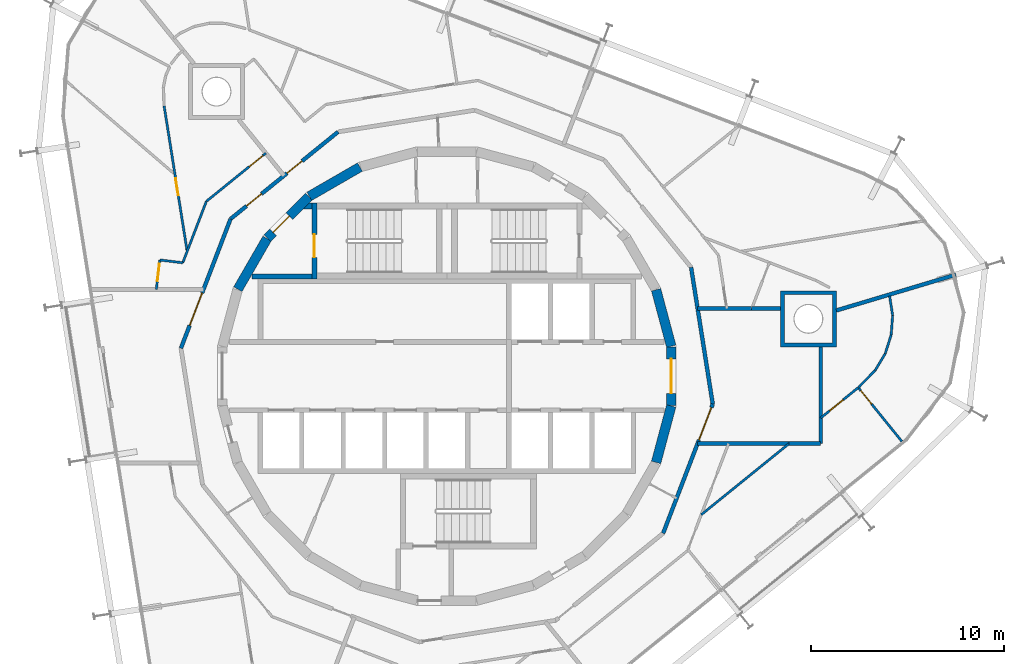
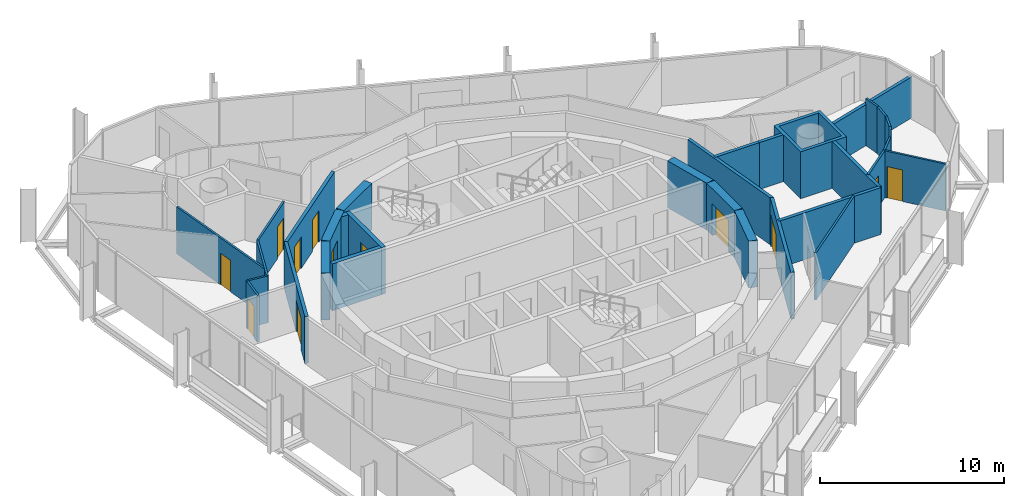
# One storey, part 14 of 17: 33 walls, 12 doors, 12 openings.
"""IFC4 building model written with IfcOpenShell, lengths in metres."""

from ifc_helpers import new_model, si_unit, direction, frame, frame_2d, origin, place, context, subcontext, project, spatial, polyline, rectangle, outline, extrude, material, layer, layer_set, type_object, element, fill, save


model = new_model("IFC4")

# Units and contexts
model_context = context("Model", 3, precision=1e-05, world=origin(), true_north=direction((0.0, 1.0)))
body_context = subcontext(model_context, "Body", "Model", "MODEL_VIEW")
ifc_project = project(units=[si_unit("LENGTHUNIT", "METRE"), si_unit("AREAUNIT", "SQUARE_METRE"), si_unit("VOLUMEUNIT", "CUBIC_METRE"), si_unit("PLANEANGLEUNIT", "RADIAN"), si_unit("MASSUNIT", "GRAM", prefix="KILO")], contexts=[model_context])

# Site, building, storey
site_placement = place(None, origin())
site = spatial("IfcSite", under=ifc_project, at=site_placement, CompositionType="ELEMENT")
building_placement = place(site_placement, origin())
building = spatial("IfcBuilding", under=site, at=building_placement, Name="Spindle Arch Residences", CompositionType="ELEMENT")
storey_placement = place(building_placement, frame((0.0, 0.0, 270.39990234375)))
storey = spatial("IfcBuildingStorey", under=building, at=storey_placement, Name="L69", CompositionType="ELEMENT", Elevation=270.39990234375)

# Wall
ifc_material_1 = material(Name="Concrete C50/60", Category="concrete")
ifc_layer_1 = layer(ifc_material_1, 0.5)
ifc_layer_set_1 = layer_set([ifc_layer_1], Name="Core outline wall 500")
wall_type_1 = type_object("IfcWallType", Name="Core outline wall 500", PredefinedType="SHEAR", material=ifc_layer_set_1)
wall_1_placement = place(storey_placement, frame((10.858154296875, -4.479248046875, 0.0), z_axis=(0.0, 0.0, 1.0), x_axis=(0.258734743916, 0.965948410781, 0.0)))
element("IfcWall", 1, at=wall_1_placement, inside=storey, type_object=wall_type_1, Name="Core outline wall 5", PredefinedType="SHEAR", context=body_context, shape_type="SweptSolid", body=[
    extrude(rectangle(XDim=3.03271484375, YDim=0.5, at=frame_2d((1.516357421875, 0.0))), origin(), (0.0, 0.0, 1.0), 3.1201171875),
])

# Wall, opening, door
wall_2_placement = place(storey_placement, frame((11.647216796875, -1.516357421875, 0.0), z_axis=(0.0, 0.0, 1.0), x_axis=(0.0, 1.0, 0.0)))
wall_2 = element("IfcWall", 2, at=wall_2_placement, inside=storey, type_object=wall_type_1, Name="Core outline wall 6", PredefinedType="SHEAR", context=body_context, shape_type="SweptSolid", body=[
    extrude(rectangle(XDim=3.03271484375, YDim=0.5, at=frame_2d((1.516357421875, 0.0))), origin(), (0.0, 0.0, 1.0), 3.1201171875),
])
opening_1_placement = place(wall_2_placement, frame((0.6162109375, 0.0, 0.0)))
opening_1 = element("IfcOpeningElement", 3, at=opening_1_placement, cuts=wall_2, Name="Opening R7A0-FE01", PredefinedType="OPENING", context=body_context, shape_type="SweptSolid", body=[
    extrude(rectangle(XDim=1.800048828125, YDim=2.10009765625, at=frame_2d((0.89990234375, 1.050048828125))), frame((0.0, 0.260009765625, 0.0), z_axis=(0.0, -1.0, 0.0), x_axis=(1.0, 0.0, 0.0)), (0.0, 0.0, 1.0), 0.52001953125),
])
ifc_material_2 = material(Name="Steel, fire-resisting door", Category="steel")
door_type_1 = type_object("IfcDoorType", Name="Fire-lift lobby door 1800x2100", OperationType="DOUBLE_DOOR_SINGLE_SWING", PredefinedType="DOOR", material=ifc_material_2)
door_1_placement = place(opening_1_placement, origin())
door_1 = element("IfcDoor", 4, at=door_1_placement, inside=storey, type_object=door_type_1, Name="Fire-lift lobby door R7A0-FE01", OperationType="DOUBLE_DOOR_SINGLE_SWING", OverallHeight=2.10009765625, OverallWidth=1.800048828125, PredefinedType="DOOR", context=body_context, shape_type="SweptSolid", body=[
    extrude(rectangle(XDim=1.800048828125, YDim=2.10009765625, at=frame_2d((0.89990234375, 1.050048828125))), frame((0.0, 0.02490234375, 0.0), z_axis=(0.0, -1.0, 0.0), x_axis=(1.0, 0.0, 0.0)), (0.0, 0.0, 1.0), 0.050048828125),
])
fill(opening_1, door_1)

# Walls
for number, where, z_axis, x_axis, name in (
    (5, (11.642822265625, 1.5498046875, 0.0), (0.0, 0.0, 1.0), (-0.258734743916, 0.965948410781, 0.0), "Core outline wall 7"),
    (6, (-4.510498046875, 10.84521484375, 0.0), (0.0, 0.0, 1.0), (-0.865975092491, -0.500087131594, 0.0), "Core outline wall 14"),
):
    element("IfcWall", number, at=place(storey_placement, frame(where, z_axis=z_axis, x_axis=x_axis)), inside=storey, type_object=wall_type_1, Name=name, PredefinedType="SHEAR", context=body_context, shape_type="SweptSolid", body=[
        extrude(rectangle(XDim=3.03271484375, YDim=0.5, at=frame_2d((1.516357421875, 0.0))), origin(), (0.0, 0.0, 1.0), 3.1201171875),
    ])

# Wall, opening, door
wall_3_placement = place(storey_placement, frame((-7.163818359375, 9.30810546875, 0.0), z_axis=(0.0, 0.0, 1.0), x_axis=(-0.707106781187, -0.707106781187, 0.0)))
wall_3 = element("IfcWall", 7, at=wall_3_placement, inside=storey, type_object=wall_type_1, Name="Core outline wall 15", PredefinedType="SHEAR", context=body_context, shape_type="SweptSolid", body=[
    extrude(rectangle(XDim=3.032470703125, YDim=0.5, at=frame_2d((1.51611328125, 0.0))), origin(), (0.0, 0.0, 1.0), 3.1201171875),
])
opening_2_placement = place(wall_3_placement, frame((1.416259765625, 0.0, 0.0)))
opening_2 = element("IfcOpeningElement", 8, at=opening_2_placement, cuts=wall_3, Name="Opening R7A0-AD02", PredefinedType="OPENING", context=body_context, shape_type="SweptSolid", body=[
    extrude(rectangle(XDim=1.199951171875, YDim=2.10009765625, at=frame_2d((0.60009765625, 1.050048828125))), frame((0.0, 0.260009765625, 0.0), z_axis=(0.0, -1.0, 0.0), x_axis=(1.0, 0.0, 0.0)), (0.0, 0.0, 1.0), 0.52001953125),
])
ifc_material_3 = material(Name="Steel, fire-resisting door", Category="steel")
door_type_2 = type_object("IfcDoorType", Name="Stair airlock door 1200x2100", OperationType="SINGLE_SWING_LEFT", PredefinedType="DOOR", material=ifc_material_3)
door_2_placement = place(opening_2_placement, origin())
door_2 = element("IfcDoor", 9, at=door_2_placement, inside=storey, type_object=door_type_2, Name="Stair airlock door R7A0-AD02", OperationType="SINGLE_SWING_RIGHT", OverallHeight=2.10009765625, OverallWidth=1.199951171875, PredefinedType="DOOR", context=body_context, shape_type="SweptSolid", body=[
    extrude(rectangle(XDim=1.199951171875, YDim=2.10009765625, at=frame_2d((0.60009765625, 1.050048828125))), frame((0.0, 0.02490234375, 0.0), z_axis=(0.0, -1.0, 0.0), x_axis=(1.0, 0.0, 0.0)), (0.0, 0.0, 1.0), 0.050048828125),
])
fill(opening_2, door_2)

# Wall
wall_4_placement = place(storey_placement, frame((-9.32861328125, 7.13671875, 0.0), z_axis=(0.0, 0.0, 1.0), x_axis=(-0.500087131594, -0.865975092491, 0.0)))
element("IfcWall", 10, at=wall_4_placement, inside=storey, type_object=wall_type_1, Name="Core outline wall 16", PredefinedType="SHEAR", context=body_context, shape_type="SweptSolid", body=[
    extrude(rectangle(XDim=3.03271484375, YDim=0.5, at=frame_2d((1.516357421875, 0.0))), origin(), (0.0, 0.0, 1.0), 3.1201171875),
])

# Wall, openings, doors
ifc_material_4 = material(Name="Calcium silicate block, plastered")
ifc_layer_2 = layer(ifc_material_4, 0.199951171875)
ifc_layer_set_2 = layer_set([ifc_layer_2], Name="Corridor wall 200")
wall_type_2 = type_object("IfcWallType", Name="Corridor wall 200", PredefinedType="STANDARD", material=ifc_layer_set_2)
wall_5_placement = place(storey_placement, frame((-5.642578125, 12.67333984375, 0.0), z_axis=(0.0, 0.0, 1.0), x_axis=(-0.777160148113, -0.629302871585, 0.0)))
wall_5 = element("IfcWall", 11, at=wall_5_placement, inside=storey, type_object=wall_type_2, Name="Corridor wall R7A0-W011", PredefinedType="STANDARD", context=body_context, shape_type="SweptSolid", body=[
    extrude(rectangle(XDim=7.180908203125, YDim=0.199951171875, at=frame_2d((3.59033203125, 0.0))), origin(), (0.0, 0.0, 1.0), 3.1201171875),
])
opening_3_placement = place(wall_5_placement, frame((2.410400390625, 0.0, 0.0)))
opening_3 = element("IfcOpeningElement", 12, at=opening_3_placement, cuts=wall_5, Name="Opening R7A0-FD02", PredefinedType="OPENING", context=body_context, shape_type="SweptSolid", body=[
    extrude(rectangle(XDim=1.0, YDim=2.10009765625, at=frame_2d((0.5, 1.050048828125))), frame((0.0, 0.10986328125, 0.0), z_axis=(0.0, -1.0, 0.0), x_axis=(1.0, 0.0, 0.0)), (0.0, 0.0, 1.0), 0.219970703125),
])
opening_4_placement = place(wall_5_placement, frame((5.111572265625, 0.0, 0.0)))
opening_4 = element("IfcOpeningElement", 13, at=opening_4_placement, cuts=wall_5, Name="Opening R7A0-FD03", PredefinedType="OPENING", context=body_context, shape_type="SweptSolid", body=[
    extrude(rectangle(XDim=1.0, YDim=2.10009765625, at=frame_2d((0.5, 1.050048828125))), frame((0.0, 0.10986328125, 0.0), z_axis=(0.0, -1.0, 0.0), x_axis=(1.0, 0.0, 0.0)), (0.0, 0.0, 1.0), 0.219970703125),
])
ifc_material_5 = material(Name="Timber, fire-resisting door set", Category="wood")
door_type_3 = type_object("IfcDoorType", Name="Flat entrance door 1000x2100", OperationType="NOTDEFINED", PredefinedType="DOOR", material=ifc_material_5)
door_3_placement = place(opening_3_placement, origin())
door_3 = element("IfcDoor", 14, at=door_3_placement, inside=storey, type_object=door_type_3, Name="Flat entrance door R7A0-FD02", OperationType="SINGLE_SWING_RIGHT", OverallHeight=2.10009765625, OverallWidth=1.0, PredefinedType="DOOR", context=body_context, shape_type="SweptSolid", body=[
    extrude(rectangle(XDim=1.0, YDim=2.10009765625, at=frame_2d((0.5, 1.050048828125))), frame((0.0, 0.02490234375, 0.0), z_axis=(0.0, -1.0, 0.0), x_axis=(1.0, 0.0, 0.0)), (0.0, 0.0, 1.0), 0.050048828125),
])
fill(opening_3, door_3)
door_4_placement = place(opening_4_placement, origin())
door_4 = element("IfcDoor", 15, at=door_4_placement, inside=storey, type_object=door_type_3, Name="Flat entrance door R7A0-FD03", OperationType="SINGLE_SWING_LEFT", OverallHeight=2.10009765625, OverallWidth=1.0, PredefinedType="DOOR", context=body_context, shape_type="SweptSolid", body=[
    extrude(rectangle(XDim=1.0, YDim=2.10009765625, at=frame_2d((0.5, 1.050048828125))), frame((0.0, 0.02490234375, 0.0), z_axis=(0.0, -1.0, 0.0), x_axis=(1.0, 0.0, 0.0)), (0.0, 0.0, 1.0), 0.050048828125),
])
fill(opening_4, door_4)

# Wall, opening, door
ifc_material_6 = material(Name="Calcium silicate block, plastered")
ifc_layer_3 = layer(ifc_material_6, 0.199951171875)
ifc_layer_set_3 = layer_set([ifc_layer_3], Name="Fire-lift lobby bay wall 200")
wall_type_3 = type_object("IfcWallType", Name="Fire-lift lobby bay wall 200", PredefinedType="STANDARD", material=ifc_layer_set_3)
wall_6_placement = place(storey_placement, frame((11.223388671875, -8.154296875, 0.0), z_axis=(0.0, 0.0, 1.0), x_axis=(0.358341090983, 0.93359073609, 0.0)))
wall_6 = element("IfcWall", 16, at=wall_6_placement, inside=storey, type_object=wall_type_3, Name="Fire-lift lobby bay wall R7A0-W004", PredefinedType="STANDARD", context=body_context, shape_type="SweptSolid", body=[
    extrude(rectangle(XDim=7.180908203125, YDim=0.199951171875, at=frame_2d((3.59033203125, 0.0))), origin(), (0.0, 0.0, 1.0), 3.1201171875),
])
opening_5_placement = place(wall_6_placement, frame((5.185302734375, 0.0, 0.0)))
opening_5 = element("IfcOpeningElement", 17, at=opening_5_placement, cuts=wall_6, Name="Opening R7A0-FB01", PredefinedType="OPENING", context=body_context, shape_type="SweptSolid", body=[
    extrude(rectangle(XDim=1.800048828125, YDim=2.10009765625, at=frame_2d((0.89990234375, 1.050048828125))), frame((0.0, 0.10986328125, 0.0), z_axis=(0.0, -1.0, 0.0), x_axis=(1.0, 0.0, 0.0)), (0.0, 0.0, 1.0), 0.219970703125),
])
ifc_material_7 = material(Name="Steel, fire-resisting door", Category="steel")
door_type_4 = type_object("IfcDoorType", Name="Fire-lift lobby bay door 1800x2100", OperationType="NOTDEFINED", PredefinedType="DOOR", material=ifc_material_7)
door_5_placement = place(opening_5_placement, origin())
door_5 = element("IfcDoor", 18, at=door_5_placement, inside=storey, type_object=door_type_4, Name="Fire-lift lobby bay door R7A0-FB01", OperationType="DOUBLE_DOOR_SINGLE_SWING", OverallHeight=2.10009765625, OverallWidth=1.800048828125, PredefinedType="DOOR", context=body_context, shape_type="SweptSolid", body=[
    extrude(rectangle(XDim=1.800048828125, YDim=2.10009765625, at=frame_2d((0.89990234375, 1.050048828125))), frame((0.0, 0.02490234375, 0.0), z_axis=(0.0, -1.0, 0.0), x_axis=(1.0, 0.0, 0.0)), (0.0, 0.0, 1.0), 0.050048828125),
])
fill(opening_5, door_5)

# Walls
wall_7_placement = place(storey_placement, frame((13.796630859375, -1.4501953125, 0.0), z_axis=(0.0, 0.0, 1.0), x_axis=(-0.156421704315, 0.987690361611, 0.0)))
element("IfcWall", 19, at=wall_7_placement, inside=storey, type_object=wall_type_3, Name="Fire-lift lobby bay wall R7A0-W005", PredefinedType="STANDARD", context=body_context, shape_type="SweptSolid", body=[
    extrude(rectangle(XDim=7.18115234375, YDim=0.199951171875, at=frame_2d((3.590576171875, 0.0))), origin(), (0.0, 0.0, 1.0), 3.1201171875),
])
wall_8_placement = place(storey_placement, frame((15.819091796875, 3.5, 0.0), z_axis=(0.0, 0.0, 1.0), x_axis=(-1.0, 0.0, 0.0)))
element("IfcWall", 20, at=wall_8_placement, inside=storey, type_object=wall_type_3, Name="Fire-lift lobby bay wall R7A0-W018", PredefinedType="STANDARD", context=body_context, shape_type="SweptSolid", body=[
    extrude(rectangle(XDim=2.806396484375, YDim=0.199951171875, at=frame_2d((1.4033203125, 0.0))), origin(), (0.0, 0.0, 1.0), 3.1201171875),
])
wall_9_placement = place(storey_placement, frame((17.309326171875, 3.5, 0.0), z_axis=(0.0, 0.0, 1.0), x_axis=(-1.0, 0.0, 0.0)))
element("IfcWall", 21, at=wall_9_placement, inside=storey, type_object=wall_type_3, Name="Fire-lift lobby bay wall R7A0-W019", PredefinedType="STANDARD", context=body_context, shape_type="SweptSolid", body=[
    extrude(rectangle(XDim=1.490234375, YDim=0.199951171875, at=frame_2d((0.7451171875, 0.0))), origin(), (0.0, 0.0, 1.0), 3.1201171875),
])
wall_10_placement = place(storey_placement, frame((13.009765625, -3.5, 0.0), z_axis=(0.0, 0.0, 1.0), x_axis=(1.0, 0.0, 0.0)))
element("IfcWall", 22, at=wall_10_placement, inside=storey, type_object=wall_type_3, Name="Fire-lift lobby bay wall R7A0-W020", PredefinedType="STANDARD", context=body_context, shape_type="SweptSolid", body=[
    extrude(rectangle(XDim=4.75, YDim=0.199951171875, at=frame_2d((2.375, 0.0))), origin(), (0.0, 0.0, 1.0), 3.1201171875),
])
wall_11_placement = place(storey_placement, frame((19.39990234375, -3.5, 0.0), z_axis=(0.0, 0.0, 1.0), x_axis=(0.0, 1.0, 0.0)))
element("IfcWall", 23, at=wall_11_placement, inside=storey, type_object=wall_type_3, Name="Fire-lift lobby bay wall R7A0-W021", PredefinedType="STANDARD", context=body_context, shape_type="SweptSolid", body=[
    extrude(rectangle(XDim=5.021240234375, YDim=0.199951171875, at=frame_2d((2.5107421875, 0.0))), origin(), (0.0, 0.0, 1.0), 3.1201171875),
])
wall_12_placement = place(storey_placement, frame((17.759765625, -3.5, 0.0), z_axis=(0.0, 0.0, 1.0), x_axis=(1.0, 0.0, 0.0)))
element("IfcWall", 24, at=wall_12_placement, inside=storey, type_object=wall_type_3, Name="Fire-lift lobby bay wall R7A0-W022", PredefinedType="STANDARD", context=body_context, shape_type="SweptSolid", body=[
    extrude(rectangle(XDim=1.64013671875, YDim=0.199951171875, at=frame_2d((0.820068359375, 0.0))), origin(), (0.0, 0.0, 1.0), 3.1201171875),
])

# Wall, opening, door
ifc_material_8 = material(Name="Plasterboard on steel studs", Category="steel")
ifc_layer_4 = layer(ifc_material_8, 0.1201171875)
ifc_layer_set_4 = layer_set([ifc_layer_4], Name="Flat partition 120")
wall_type_4 = type_object("IfcWallType", Name="Flat partition 120", PredefinedType="PARTITIONING", material=ifc_layer_set_4)
wall_13_placement = place(storey_placement, frame((-9.393310546875, 11.56640625, 0.0), z_axis=(0.0, 0.0, 1.0), x_axis=(-0.777100258587, -0.629376825205, 0.0)))
wall_13 = element("IfcWall", 25, at=wall_13_placement, inside=storey, type_object=wall_type_4, Name="Flat partition R7A0-W051", PredefinedType="PARTITIONING", context=body_context, shape_type="SweptSolid", body=[
    extrude(rectangle(XDim=3.971435546875, YDim=0.1201171875, at=frame_2d((1.98583984375, 0.0))), origin(), (0.0, 0.0, 1.0), 3.1201171875),
])
opening_6_placement = place(wall_13_placement, frame((0.199951171875, 0.0, 0.0)))
opening_6 = element("IfcOpeningElement", 26, at=opening_6_placement, cuts=wall_13, Name="Opening R7A0-ID10", PredefinedType="OPENING", context=body_context, shape_type="SweptSolid", body=[
    extrude(rectangle(XDim=0.89990234375, YDim=2.10009765625, at=frame_2d((0.449951171875, 1.050048828125))), frame((0.0, 0.070068359375, 0.0), z_axis=(0.0, -1.0, 0.0), x_axis=(1.0, 0.0, 0.0)), (0.0, 0.0, 1.0), 0.14013671875),
])
ifc_material_9 = material(Name="Timber door set", Category="wood")
door_type_5 = type_object("IfcDoorType", Name="Room door 900x2100", OperationType="NOTDEFINED", PredefinedType="DOOR", material=ifc_material_9)
door_6_placement = place(opening_6_placement, origin())
door_6 = element("IfcDoor", 27, at=door_6_placement, inside=storey, type_object=door_type_5, Name="Room door R7A0-ID10", OperationType="SINGLE_SWING_LEFT", OverallHeight=2.10009765625, OverallWidth=0.89990234375, PredefinedType="DOOR", context=body_context, shape_type="SweptSolid", body=[
    extrude(rectangle(XDim=0.89990234375, YDim=2.10009765625, at=frame_2d((0.449951171875, 1.050048828125))), frame((0.0, 0.02490234375, 0.0), z_axis=(0.0, -1.0, 0.0), x_axis=(1.0, 0.0, 0.0)), (0.0, 0.0, 1.0), 0.050048828125),
])
fill(opening_6, door_6)

# Walls
wall_14_placement = place(storey_placement, frame((-12.4794921875, 9.06689453125, 0.0), z_axis=(0.0, 0.0, 1.0), x_axis=(-0.358394302064, -0.933570310286, 0.0)))
element("IfcWall", 28, at=wall_14_placement, inside=storey, type_object=wall_type_4, Name="Flat partition R7A0-W052", PredefinedType="PARTITIONING", context=body_context, shape_type="SweptSolid", body=[
    extrude(rectangle(XDim=3.41357421875, YDim=0.1201171875, at=frame_2d((1.706787109375, 0.0))), origin(), (0.0, 0.0, 1.0), 3.1201171875),
])
wall_15_placement = place(storey_placement, frame((-13.702880859375, 5.880126953125, 0.0), z_axis=(0.0, 0.0, 1.0), x_axis=(-0.992763323859, 0.120087396509, 0.0)))
element("IfcWall", 29, at=wall_15_placement, inside=storey, type_object=wall_type_4, Name="Flat partition R7A0-W053", PredefinedType="PARTITIONING", context=body_context, shape_type="SweptSolid", body=[
    extrude(rectangle(XDim=1.1953125, YDim=0.1201171875, at=frame_2d((0.59765625, 0.0))), origin(), (0.0, 0.0, 1.0), 3.1201171875),
])

# Wall, opening, door
wall_16_placement = place(storey_placement, frame((-14.8896484375, 6.023681640625, 0.0), z_axis=(0.0, 0.0, 1.0), x_axis=(-0.120255360044, -0.992742992109, 0.0)))
wall_16 = element("IfcWall", 30, at=wall_16_placement, inside=storey, type_object=wall_type_4, Name="Flat partition R7A0-W054", PredefinedType="PARTITIONING", context=body_context, shape_type="SweptSolid", body=[
    extrude(rectangle(XDim=1.534912109375, YDim=0.1201171875, at=frame_2d((0.767578125, 0.0))), origin(), (0.0, 0.0, 1.0), 3.1201171875),
])
opening_7_placement = place(wall_16_placement, frame((0.199951171875, 0.0, 0.0)))
opening_7 = element("IfcOpeningElement", 31, at=opening_7_placement, cuts=wall_16, Name="Opening R7A0-ID11", PredefinedType="OPENING", context=body_context, shape_type="SweptSolid", body=[
    extrude(rectangle(XDim=0.89990234375, YDim=2.10009765625, at=frame_2d((0.449951171875, 1.050048828125))), frame((0.0, 0.070068359375, 0.0), z_axis=(0.0, -1.0, 0.0), x_axis=(1.0, 0.0, 0.0)), (0.0, 0.0, 1.0), 0.14013671875),
])
door_7_placement = place(opening_7_placement, origin())
door_7 = element("IfcDoor", 32, at=door_7_placement, inside=storey, type_object=door_type_5, Name="Room door R7A0-ID11", OperationType="SINGLE_SWING_LEFT", OverallHeight=2.10009765625, OverallWidth=0.89990234375, PredefinedType="DOOR", context=body_context, shape_type="SweptSolid", body=[
    extrude(rectangle(XDim=0.89990234375, YDim=2.10009765625, at=frame_2d((0.449951171875, 1.050048828125))), frame((0.0, 0.02490234375, 0.0), z_axis=(0.0, -1.0, 0.0), x_axis=(1.0, 0.0, 0.0)), (0.0, 0.0, 1.0), 0.050048828125),
])
fill(opening_7, door_7)

wall_17_placement = place(storey_placement, frame((-14.6708984375, 14.023193359375, 0.0), z_axis=(0.0, 0.0, 1.0), x_axis=(0.156438190471, -0.987687750538, 0.0)))
wall_17 = element("IfcWall", 33, at=wall_17_placement, inside=storey, type_object=wall_type_4, Name="Flat partition R7A0-W061", PredefinedType="PARTITIONING", context=body_context, shape_type="SweptSolid", body=[
    extrude(rectangle(XDim=7.643798828125, YDim=0.1201171875, at=frame_2d((3.82177734375, 0.0))), origin(), (0.0, 0.0, 1.0), 3.1201171875),
])
opening_8_placement = place(wall_17_placement, frame((3.802734375, 0.0, 0.0)))
opening_8 = element("IfcOpeningElement", 34, at=opening_8_placement, cuts=wall_17, Name="Opening R7A0-ID13", PredefinedType="OPENING", context=body_context, shape_type="SweptSolid", body=[
    extrude(rectangle(XDim=0.89990234375, YDim=2.10009765625, at=frame_2d((0.449951171875, 1.050048828125))), frame((0.0, 0.070068359375, 0.0), z_axis=(0.0, -1.0, 0.0), x_axis=(1.0, 0.0, 0.0)), (0.0, 0.0, 1.0), 0.14013671875),
])
door_8_placement = place(opening_8_placement, origin())
door_8 = element("IfcDoor", 35, at=door_8_placement, inside=storey, type_object=door_type_5, Name="Room door R7A0-ID13", OperationType="SINGLE_SWING_RIGHT", OverallHeight=2.10009765625, OverallWidth=0.89990234375, PredefinedType="DOOR", context=body_context, shape_type="SweptSolid", body=[
    extrude(rectangle(XDim=0.89990234375, YDim=2.10009765625, at=frame_2d((0.449951171875, 1.050048828125))), frame((0.0, 0.02490234375, 0.0), z_axis=(0.0, -1.0, 0.0), x_axis=(1.0, 0.0, 0.0)), (0.0, 0.0, 1.0), 0.050048828125),
])
fill(opening_8, door_8)

# Walls
wall_18_placement = place(storey_placement, frame((22.972412109375, 4.15283203125, 0.0), z_axis=(0.0, 0.0, 1.0), x_axis=(0.156209385929, -0.987723963336, 0.0)))
element("IfcWall", 36, at=wall_18_placement, inside=storey, type_object=wall_type_4, Name="Flat partition R7A0-W087", PredefinedType="PARTITIONING", context=body_context, shape_type="SweptSolid", body=[
    extrude(rectangle(XDim=1.015869140625, YDim=0.1201171875, at=frame_2d((0.5078125, 0.0))), origin(), (0.0, 0.0, 1.0), 3.1201171875),
])
wall_19_placement = place(storey_placement, frame((23.131103515625, 3.1494140625, 0.0), z_axis=(0.0, 0.0, 1.0), x_axis=(-0.075446997935, -0.99714981347, 0.0)))
element("IfcWall", 37, at=wall_19_placement, inside=storey, type_object=wall_type_4, Name="Flat partition R7A0-W088", PredefinedType="PARTITIONING", context=body_context, shape_type="SweptSolid", body=[
    extrude(rectangle(XDim=1.01611328125, YDim=0.1201171875, at=frame_2d((0.508056640625, 0.0))), origin(), (0.0, 0.0, 1.0), 3.1201171875),
])
wall_20_placement = place(storey_placement, frame((23.054443359375, 2.13623046875, 0.0), z_axis=(0.0, 0.0, 1.0), x_axis=(-0.303511129679, -0.952827893253, 0.0)))
element("IfcWall", 38, at=wall_20_placement, inside=storey, type_object=wall_type_4, Name="Flat partition R7A0-W089", PredefinedType="PARTITIONING", context=body_context, shape_type="SweptSolid", body=[
    extrude(rectangle(XDim=1.015869140625, YDim=0.1201171875, at=frame_2d((0.5078125, 0.0))), origin(), (0.0, 0.0, 1.0), 3.1201171875),
])
wall_21_placement = place(storey_placement, frame((22.74609375, 1.168212890625, 0.0), z_axis=(0.0, 0.0, 1.0), x_axis=(-0.515096534995, -0.857132171626, 0.0)))
element("IfcWall", 39, at=wall_21_placement, inside=storey, type_object=wall_type_4, Name="Flat partition R7A0-W090", PredefinedType="PARTITIONING", context=body_context, shape_type="SweptSolid", body=[
    extrude(rectangle(XDim=1.015625, YDim=0.1201171875, at=frame_2d((0.5078125, 0.0))), origin(), (0.0, 0.0, 1.0), 3.1201171875),
])
wall_22_placement = place(storey_placement, frame((22.222900390625, 0.297607421875, 0.0), z_axis=(0.0, 0.0, 1.0), x_axis=(-0.69880109182, -0.715316037896, 0.0)))
element("IfcWall", 40, at=wall_22_placement, inside=storey, type_object=wall_type_4, Name="Flat partition R7A0-W091", PredefinedType="PARTITIONING", context=body_context, shape_type="SweptSolid", body=[
    extrude(rectangle(XDim=1.22705078125, YDim=0.1201171875, at=frame_2d((0.613525390625, 0.0))), origin(), (0.0, 0.0, 1.0), 3.1201171875),
])

# Wall, opening, door
wall_23_placement = place(storey_placement, frame((21.346923828125, -0.59521484375, 0.0), z_axis=(0.0, 0.0, 1.0), x_axis=(0.62934843781, -0.7771232488, 0.0)))
wall_23 = element("IfcWall", 41, at=wall_23_placement, inside=storey, type_object=wall_type_4, Name="Flat partition R7A0-W092", PredefinedType="PARTITIONING", context=body_context, shape_type="SweptSolid", body=[
    extrude(rectangle(XDim=3.599853515625, YDim=0.1201171875, at=frame_2d((1.7998046875, 0.0))), origin(), (0.0, 0.0, 1.0), 3.1201171875),
])
opening_9_placement = place(wall_23_placement, frame((0.199951171875, 0.0, 0.0)))
opening_9 = element("IfcOpeningElement", 42, at=opening_9_placement, cuts=wall_23, Name="Opening R7A0-ID25", PredefinedType="OPENING", context=body_context, shape_type="SweptSolid", body=[
    extrude(rectangle(XDim=0.89990234375, YDim=2.10009765625, at=frame_2d((0.449951171875, 1.050048828125))), frame((0.0, 0.070068359375, 0.0), z_axis=(0.0, -1.0, 0.0), x_axis=(1.0, 0.0, 0.0)), (0.0, 0.0, 1.0), 0.14013671875),
])
door_9_placement = place(opening_9_placement, origin())
door_9 = element("IfcDoor", 43, at=door_9_placement, inside=storey, type_object=door_type_5, Name="Room door R7A0-ID25", OperationType="SINGLE_SWING_RIGHT", OverallHeight=2.10009765625, OverallWidth=0.89990234375, PredefinedType="DOOR", context=body_context, shape_type="SweptSolid", body=[
    extrude(rectangle(XDim=0.89990234375, YDim=2.10009765625, at=frame_2d((0.449951171875, 1.050048828125))), frame((0.0, 0.02490234375, 0.0), z_axis=(0.0, -1.0, 0.0), x_axis=(1.0, 0.0, 0.0)), (0.0, 0.0, 1.0), 0.050048828125),
])
fill(opening_9, door_9)

wall_24_placement = place(storey_placement, frame((19.39990234375, -2.171875, 0.0), z_axis=(0.0, 0.0, 1.0), x_axis=(0.777147279935, 0.629318762862, 0.0)))
wall_24 = element("IfcWall", 44, at=wall_24_placement, inside=storey, type_object=wall_type_4, Name="Flat partition R7A0-W093", PredefinedType="PARTITIONING", context=body_context, shape_type="SweptSolid", body=[
    extrude(rectangle(XDim=2.50537109375, YDim=0.1201171875, at=frame_2d((1.252685546875, 0.0))), origin(), (0.0, 0.0, 1.0), 3.1201171875),
])
opening_10_placement = place(wall_24_placement, frame((0.60009765625, 0.0, 0.0)))
opening_10 = element("IfcOpeningElement", 45, at=opening_10_placement, cuts=wall_24, Name="Opening R7A0-ID26", PredefinedType="OPENING", context=body_context, shape_type="SweptSolid", body=[
    extrude(rectangle(XDim=0.89990234375, YDim=2.10009765625, at=frame_2d((0.449951171875, 1.050048828125))), frame((0.0, 0.070068359375, 0.0), z_axis=(0.0, -1.0, 0.0), x_axis=(1.0, 0.0, 0.0)), (0.0, 0.0, 1.0), 0.14013671875),
])
door_10_placement = place(opening_10_placement, origin())
door_10 = element("IfcDoor", 46, at=door_10_placement, inside=storey, type_object=door_type_5, Name="Room door R7A0-ID26", OperationType="SINGLE_SWING_LEFT", OverallHeight=2.10009765625, OverallWidth=0.89990234375, PredefinedType="DOOR", context=body_context, shape_type="SweptSolid", body=[
    extrude(rectangle(XDim=0.89990234375, YDim=2.10009765625, at=frame_2d((0.449951171875, 1.050048828125))), frame((0.0, 0.02490234375, 0.0), z_axis=(0.0, -1.0, 0.0), x_axis=(1.0, 0.0, 0.0)), (0.0, 0.0, 1.0), 0.050048828125),
])
fill(opening_10, door_10)

# Walls
wall_25_placement = place(storey_placement, frame((17.759765625, -3.5, 0.0), z_axis=(0.0, 0.0, 1.0), x_axis=(-0.777133455716, -0.62933583404, 0.0)))
element("IfcWall", 47, at=wall_25_placement, inside=storey, type_object=wall_type_4, Name="Flat partition R7A0-W095", PredefinedType="PARTITIONING", context=body_context, shape_type="SweptSolid", body=[
    extrude(rectangle(XDim=5.869140625, YDim=0.1201171875, at=frame_2d((2.9345703125, 0.0))), origin(), (0.0, 0.0, 1.0), 3.1201171875),
])
ifc_material_10 = material(Name="Calcium silicate block, plastered")
ifc_layer_5 = layer(ifc_material_10, 0.199951171875)
ifc_layer_set_5 = layer_set([ifc_layer_5], Name="Flat party wall 200 under beam 2730")
wall_type_5 = type_object("IfcWallType", Name="Flat party wall 200 under beam 2730", PredefinedType="STANDARD", material=ifc_layer_set_5)
wall_26_placement = place(storey_placement, frame((20.20947265625, 3.4052734375, 0.0), z_axis=(0.0, 0.0, 1.0), x_axis=(0.957991224208, 0.286797514529, 0.0)))
element("IfcWall", 48, at=wall_26_placement, inside=storey, type_object=wall_type_5, Name="Flat party wall R7A0-W024", PredefinedType="STANDARD", context=body_context, shape_type="SweptSolid", body=[
    extrude(rectangle(XDim=6.471435546875, YDim=0.199951171875, at=frame_2d((3.23583984375, 0.0))), origin(), (0.0, 0.0, 1.0), 2.72998046875),
])

# Wall, opening, door
ifc_material_11 = material(Name="Calcium silicate block, plastered")
ifc_layer_6 = layer(ifc_material_11, 0.199951171875)
ifc_layer_set_6 = layer_set([ifc_layer_6], Name="Lift lobby bay wall 200")
wall_type_6 = type_object("IfcWallType", Name="Lift lobby bay wall 200", PredefinedType="STANDARD", material=ifc_layer_set_6)
wall_27_placement = place(storey_placement, frame((-11.223388671875, 8.154296875, 0.0), z_axis=(0.0, 0.0, 1.0), x_axis=(-0.358341090983, -0.93359073609, 0.0)))
wall_27 = element("IfcWall", 49, at=wall_27_placement, inside=storey, type_object=wall_type_6, Name="Lift lobby bay wall R7A0-W009", PredefinedType="STANDARD", context=body_context, shape_type="SweptSolid", body=[
    extrude(rectangle(XDim=7.180908203125, YDim=0.199951171875, at=frame_2d((3.59033203125, 0.0))), origin(), (0.0, 0.0, 1.0), 3.1201171875),
])
opening_11_placement = place(wall_27_placement, frame((4.1142578125, 0.0, 0.0)))
opening_11 = element("IfcOpeningElement", 50, at=opening_11_placement, cuts=wall_27, Name="Opening R7A0-LB01", PredefinedType="OPENING", context=body_context, shape_type="SweptSolid", body=[
    extrude(rectangle(XDim=1.800048828125, YDim=2.10009765625, at=frame_2d((0.89990234375, 1.050048828125))), frame((0.0, 0.10986328125, 0.0), z_axis=(0.0, -1.0, 0.0), x_axis=(1.0, 0.0, 0.0)), (0.0, 0.0, 1.0), 0.219970703125),
])
ifc_material_12 = material(Name="Steel, fire-resisting door", Category="steel")
door_type_6 = type_object("IfcDoorType", Name="Lift lobby bay door 1800x2100", OperationType="NOTDEFINED", PredefinedType="DOOR", material=ifc_material_12)
door_11_placement = place(opening_11_placement, origin())
door_11 = element("IfcDoor", 51, at=door_11_placement, inside=storey, type_object=door_type_6, Name="Lift lobby bay door R7A0-LB01", OperationType="DOUBLE_DOOR_SINGLE_SWING", OverallHeight=2.10009765625, OverallWidth=1.800048828125, PredefinedType="DOOR", context=body_context, shape_type="SweptSolid", body=[
    extrude(rectangle(XDim=1.800048828125, YDim=2.10009765625, at=frame_2d((0.89990234375, 1.050048828125))), frame((0.0, 0.02490234375, 0.0), z_axis=(0.0, -1.0, 0.0), x_axis=(1.0, 0.0, 0.0)), (0.0, 0.0, 1.0), 0.050048828125),
])
fill(opening_11, door_11)

# Walls
ifc_material_13 = material(Name="Calcium silicate block, plastered")
ifc_layer_7 = layer(ifc_material_13, 0.199951171875)
ifc_layer_set_7 = layer_set([ifc_layer_7], Name="Mega-column casing wall 200")
wall_type_7 = type_object("IfcWallType", Name="Mega-column casing wall 200", PredefinedType="STANDARD", material=ifc_layer_set_7)
wall_28_placement = place(storey_placement, origin())
element("IfcWall", 52, at=wall_28_placement, inside=storey, type_object=wall_type_7, Name="Mega-column casing wall R7A0-WC01", PredefinedType="STANDARD", context=body_context, shape_type="SweptSolid", body=[
    extrude(outline(polyline([(20.20947265625, 4.421142578125), (20.20947265625, 1.521240234375), (17.309326171875, 1.521240234375), (17.309326171875, 4.421142578125), (20.20947265625, 4.421142578125)]), holes=[polyline([(17.509521484375, 1.72119140625), (20.009521484375, 1.72119140625), (20.009521484375, 4.22119140625), (17.509521484375, 4.22119140625), (17.509521484375, 1.72119140625)])]), origin(), (0.0, 0.0, 1.0), 3.1201171875),
])
ifc_material_14 = material(Name="Concrete C40/50", Category="concrete")
ifc_layer_8 = layer(ifc_material_14, 0.25)
ifc_layer_set_8 = layer_set([ifc_layer_8], Name="Stair airlock wall 250")
wall_type_8 = type_object("IfcWallType", Name="Stair airlock wall 250", PredefinedType="SHEAR", material=ifc_layer_set_8)
wall_29_placement = place(storey_placement, frame((-7.0, 5.175048828125, 0.0), z_axis=(0.0, 0.0, 1.0), x_axis=(-1.0, 0.0, 0.0)))
element("IfcWall", 53, at=wall_29_placement, inside=storey, type_object=wall_type_8, Name="Stair ST-2 airlock wall S", PredefinedType="SHEAR", context=body_context, shape_type="SweptSolid", body=[
    extrude(rectangle(XDim=3.10009765625, YDim=0.25, at=frame_2d((1.550048828125, 0.0))), origin(), (0.0, 0.0, 1.0), 3.1201171875),
])
ifc_material_15 = material(Name="Concrete C40/50", Category="concrete")
wall_type_9 = type_object("IfcWallType", Name="Stair airlock wall profile", PredefinedType="SHEAR", material=ifc_material_15)
wall_30_placement = place(storey_placement, origin())
element("IfcWall", 54, at=wall_30_placement, inside=storey, type_object=wall_type_9, Name="Stair ST-2 airlock wall N", PredefinedType="SHEAR", context=body_context, shape_type="SweptSolid", body=[
    extrude(outline(polyline([(-7.148193359375, 8.969970703125), (-7.0, 8.969970703125), (-7.0, 8.669921875), (-7.4482421875, 8.669921875), (-7.148193359375, 8.969970703125)])), origin(), (0.0, 0.0, 1.0), 3.1201171875),
])

# Wall, opening, door
ifc_material_16 = material(Name="Concrete C50/60", Category="concrete")
ifc_layer_9 = layer(ifc_material_16, 0.25)
ifc_layer_set_9 = layer_set([ifc_layer_9], Name="Stair enclosure wall 250")
wall_type_10 = type_object("IfcWallType", Name="Stair enclosure wall 250", PredefinedType="SHEAR", material=ifc_layer_set_9)
wall_31_placement = place(storey_placement, frame((-6.875, 8.969970703125, 0.0), z_axis=(0.0, 0.0, 1.0), x_axis=(0.0, -1.0, 0.0)))
wall_31 = element("IfcWall", 55, at=wall_31_placement, inside=storey, type_object=wall_type_10, Name="Stair ST-2 door wall", PredefinedType="SHEAR", context=body_context, shape_type="SweptSolid", body=[
    extrude(rectangle(XDim=3.919921875, YDim=0.25, at=frame_2d((1.9599609375, 0.0))), origin(), (0.0, 0.0, 1.0), 3.1201171875),
])
opening_12_placement = place(wall_31_placement, frame((1.610107421875, 0.0, 0.0)))
opening_12 = element("IfcOpeningElement", 56, at=opening_12_placement, cuts=wall_31, Name="Opening R7A0-SD02", PredefinedType="OPENING", context=body_context, shape_type="SweptSolid", body=[
    extrude(rectangle(XDim=1.199951171875, YDim=2.10009765625, at=frame_2d((0.60009765625, 1.050048828125))), frame((0.0, 0.135009765625, 0.0), z_axis=(0.0, -1.0, 0.0), x_axis=(1.0, 0.0, 0.0)), (0.0, 0.0, 1.0), 0.27001953125),
])
ifc_material_17 = material(Name="Steel, fire-resisting door", Category="steel")
door_type_7 = type_object("IfcDoorType", Name="Stair door 1200x2100", OperationType="SINGLE_SWING_RIGHT", PredefinedType="DOOR", material=ifc_material_17)
door_12_placement = place(opening_12_placement, origin())
door_12 = element("IfcDoor", 57, at=door_12_placement, inside=storey, type_object=door_type_7, Name="Stair door R7A0-SD02", OperationType="SINGLE_SWING_LEFT", OverallHeight=2.10009765625, OverallWidth=1.199951171875, PredefinedType="DOOR", context=body_context, shape_type="SweptSolid", body=[
    extrude(rectangle(XDim=1.199951171875, YDim=2.10009765625, at=frame_2d((0.60009765625, 1.050048828125))), frame((0.0, 0.02490234375, 0.0), z_axis=(0.0, -1.0, 0.0), x_axis=(1.0, 0.0, 0.0)), (0.0, 0.0, 1.0), 0.050048828125),
])
fill(opening_12, door_12)

save(model, "model.ifc")
